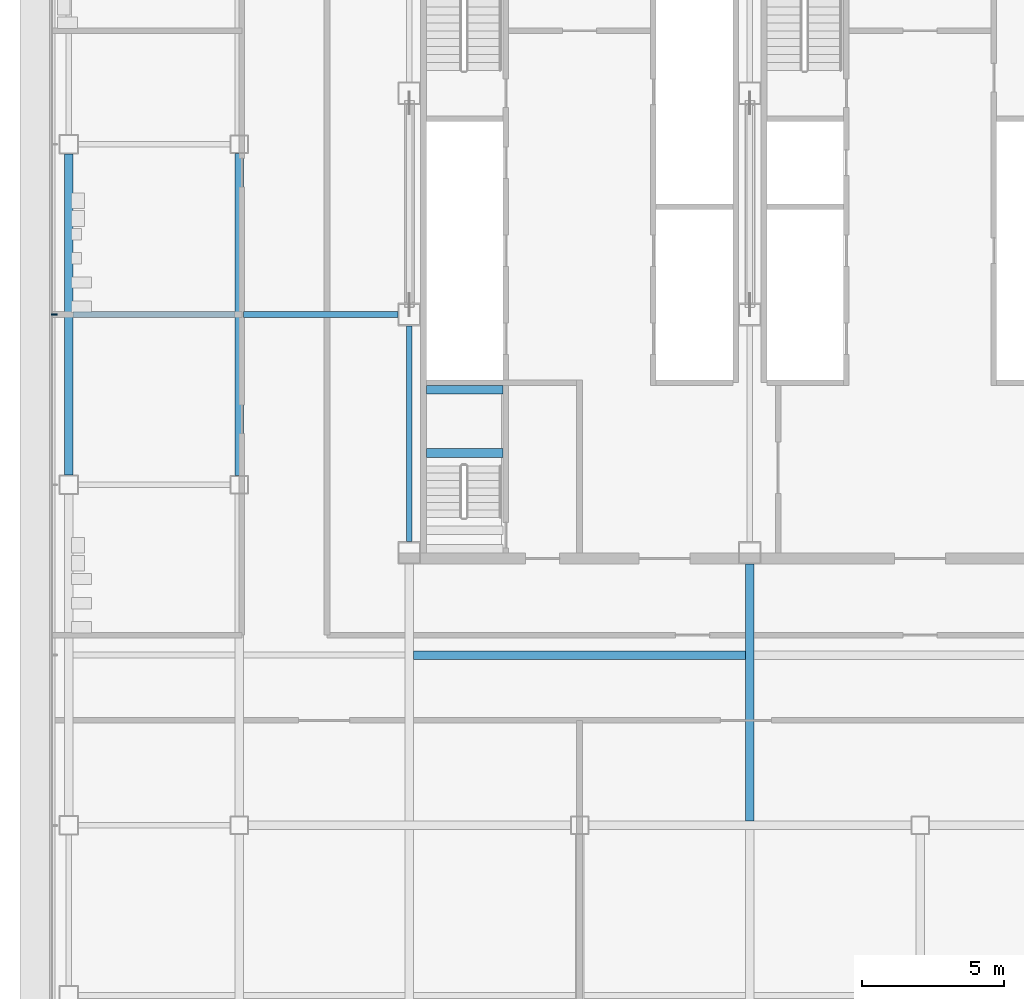
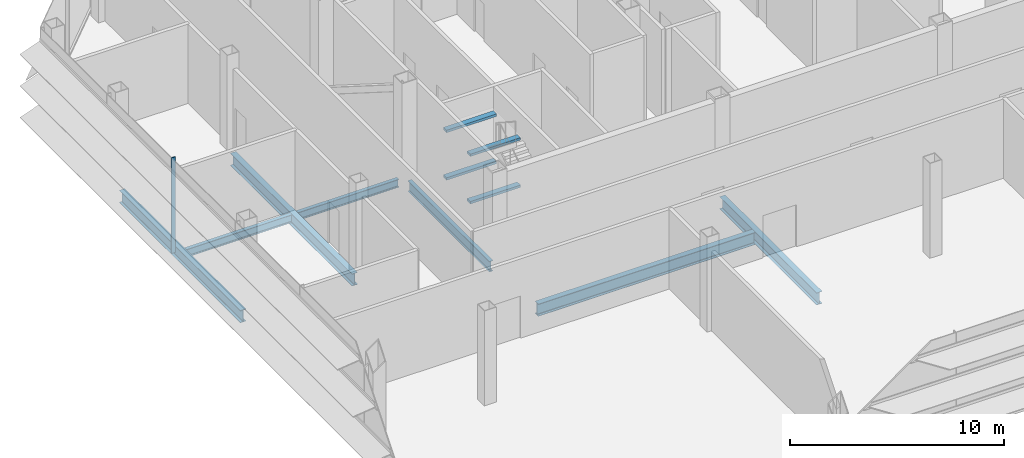
# One storey, part 5 of 24: 11 beams, 1 member, 1 element without a shape of its own.
"""IFC4 building model written with IfcOpenShell, lengths in metres."""

from ifc_helpers import new_model, si_unit, direction, frame, origin, origin_2d, place, context, subcontext, project, spatial, rectangle, i_section, extrude, material, material_profile, profile_set, type_object, element, aggregate, save


model = new_model("IFC4")

# Units and contexts
model_context = context("Model", 3, precision=1e-05, world=origin(), true_north=direction((0.0, 1.0)))
body_context = subcontext(model_context, "Body", "Model", "MODEL_VIEW")
ifc_project = project(units=[si_unit("LENGTHUNIT", "METRE"), si_unit("AREAUNIT", "SQUARE_METRE"), si_unit("VOLUMEUNIT", "CUBIC_METRE"), si_unit("PLANEANGLEUNIT", "RADIAN"), si_unit("MASSUNIT", "GRAM", prefix="KILO")], contexts=[model_context])

# Site, building, storey
site_placement = place(None, origin())
site = spatial("IfcSite", under=ifc_project, at=site_placement, CompositionType="ELEMENT")
building_placement = place(site_placement, origin())
building = spatial("IfcBuilding", under=site, at=building_placement, Name="Sorahane Residences", CompositionType="ELEMENT")
storey_placement = place(building_placement, frame((0.0, 0.0, 161.800048828125)))
storey = spatial("IfcBuildingStorey", under=building, at=storey_placement, Name="L37", CompositionType="ELEMENT", Elevation=161.800048828125)

# Curtain wall, member
ifc_material_1 = material(Name="Dark low-e glass and black anodised aluminium", Category="aluminium")
curtain_wall_type = type_object("IfcCurtainWallType", Name="Curtain wall CW-4 Sky floor frameless wall", PredefinedType="NOTDEFINED", material=ifc_material_1)
curtain_wall_placement = place(storey_placement, origin())
curtain_wall = element("IfcCurtainWall", 1, at=curtain_wall_placement, inside=storey, type_object=curtain_wall_type, Name="CW-4 curtain wall L37 W1", PredefinedType="NOTDEFINED")
ifc_material_2 = material(Name="Black anodised aluminium", Category="aluminium")
ifc_material_profile_1 = material_profile(ifc_material_2, rectangle(XDim=0.219970703125, YDim=0.050048828125, at=origin_2d()), Name="Curtain wall mullion CW-4 black anodised aluminium 50x220")
ifc_profile_set_1 = profile_set([ifc_material_profile_1], Name="Black anodised aluminium")
member_type = type_object("IfcMemberType", Name="Curtain wall mullion CW-4 black anodised aluminium 50x220", PredefinedType="MULLION", material=ifc_profile_set_1)
member_placement = place(storey_placement, frame((-6.510009765625, 30.0, -0.219970703125), z_axis=(0.0, 0.0, 1.0), x_axis=(-1.0, 0.0, 0.0)))
member = element("IfcMember", 2, at=member_placement, type_object=member_type, Name="CW-4 mullion L37 W1.3", PredefinedType="MULLION", context=body_context, shape_type="SweptSolid", body=[
    extrude(rectangle(XDim=0.219970703125, YDim=0.050048828125, at=origin_2d()), origin(), (0.0, 0.0, 1.0), 5.43994140625),
])
aggregate(curtain_wall, [member])

# Beams
ifc_material_3 = material(Name="Concrete C40", Category="concrete")
ifc_material_profile_2 = material_profile(ifc_material_3, rectangle(XDim=0.300048828125, YDim=0.139892578125, at=origin_2d()), Name="300x140")
ifc_profile_set_2 = profile_set([ifc_material_profile_2], Name="Concrete C40")
beam_type_1 = type_object("IfcBeamType", Name="RC landing beam 300 x 140 Concrete C40", PredefinedType="BEAM", material=ifc_profile_set_2)
for number, where, z_axis, x_axis, name in (
    (3, (6.60009765625, 25.1201171875, 1.079833984375), (1.0, 0.0, 0.0), (0.0, 1.0, 0.0), "Landing beam"),
    (4, (6.60009765625, 27.35009765625, 1.079833984375), (1.0, 0.0, 0.0), (0.0, 1.0, 0.0), "Landing beam"),
    (5, (6.60009765625, 25.1201171875, 3.780029296875), (1.0, 0.0, 0.0), (0.0, 1.0, 0.0), "Landing beam"),
    (6, (6.60009765625, 27.35009765625, 3.780029296875), (1.0, 0.0, 0.0), (0.0, 1.0, 0.0), "Landing beam"),
):
    element("IfcBeam", number, at=place(storey_placement, frame(where, z_axis=z_axis, x_axis=x_axis)), inside=storey, type_object=beam_type_1, Name=name, PredefinedType="BEAM", context=body_context, shape_type="SweptSolid", body=[
        extrude(rectangle(XDim=0.300048828125, YDim=0.139892578125, at=origin_2d()), origin(), (0.0, 0.0, 1.0), 2.699951171875),
    ])
ifc_material_4 = material(Name="Steel Q355B", Category="steel")
ifc_material_profile_3 = material_profile(ifc_material_4, i_section(OverallWidth=0.199951171875, OverallDepth=0.449951171875, WebThickness=0.009033203125, FlangeThickness=0.013916015625, FilletRadius=0.02001953125, at=origin_2d()), Name="HN 450x200x9x14")
ifc_profile_set_3 = profile_set([ifc_material_profile_3], Name="Steel Q355B")
beam_type_2 = type_object("IfcBeamType", Name="Steel floor beam HN 450x200x9x14 Q355B", PredefinedType="BEAM", material=ifc_profile_set_3)
beam_1_placement = place(storey_placement, frame((-5.85009765625, 30.0, -0.445068359375), z_axis=(1.0, 0.0, 0.0), x_axis=(0.0, 1.0, 0.0)))
element("IfcBeam", 7, at=beam_1_placement, inside=storey, type_object=beam_type_2, Name="Beam L37 085", PredefinedType="BEAM", context=body_context, shape_type="SweptSolid", body=[
    extrude(i_section(OverallWidth=0.199951171875, OverallDepth=0.449951171875, WebThickness=0.009033203125, FlangeThickness=0.013916015625, FilletRadius=0.02001953125, at=origin_2d()), origin(), (0.0, 0.0, 1.0), 5.7001953125),
])
beam_2_placement = place(storey_placement, frame((0.14990234375, 30.0, -0.445068359375), z_axis=(1.0, 0.0, 0.0), x_axis=(0.0, 1.0, 0.0)))
element("IfcBeam", 8, at=beam_2_placement, inside=storey, type_object=beam_type_2, Name="Beam L37 086", PredefinedType="BEAM", context=body_context, shape_type="SweptSolid", body=[
    extrude(i_section(OverallWidth=0.199951171875, OverallDepth=0.449951171875, WebThickness=0.009033203125, FlangeThickness=0.013916015625, FilletRadius=0.02001953125, at=origin_2d()), origin(), (0.0, 0.0, 1.0), 5.4501953125),
])
ifc_material_5 = material(Name="Steel Q355B", Category="steel")
ifc_material_profile_4 = material_profile(ifc_material_5, i_section(OverallWidth=0.199951171875, OverallDepth=0.60009765625, WebThickness=0.010986328125, FlangeThickness=0.01708984375, FilletRadius=0.02392578125, at=origin_2d()), Name="HN 600x200x11x17")
ifc_profile_set_4 = profile_set([ifc_material_profile_4], Name="Steel Q355B")
beam_type_3 = type_object("IfcBeamType", Name="Steel floor beam HN 600x200x11x17 Q355B", PredefinedType="BEAM", material=ifc_profile_set_4)
beam_3_placement = place(storey_placement, frame((6.0, 22.0, -0.52001953125), z_axis=(0.0, 1.0, 0.0), x_axis=(-1.0, 0.0, 0.0)))
element("IfcBeam", 9, at=beam_3_placement, inside=storey, type_object=beam_type_3, Name="Beam L37 030", PredefinedType="BEAM", context=body_context, shape_type="SweptSolid", body=[
    extrude(i_section(OverallWidth=0.199951171875, OverallDepth=0.60009765625, WebThickness=0.010986328125, FlangeThickness=0.01708984375, FilletRadius=0.02392578125, at=origin_2d()), origin(), (0.0, 0.0, 1.0), 7.60009765625),
])
ifc_material_6 = material(Name="Steel Q355B", Category="steel")
ifc_material_profile_5 = material_profile(ifc_material_6, i_section(OverallWidth=0.300048828125, OverallDepth=0.699951171875, WebThickness=0.012939453125, FlangeThickness=0.02392578125, FilletRadius=0.028076171875, at=origin_2d()), Name="HN 700x300x13x24")
ifc_profile_set_5 = profile_set([ifc_material_profile_5], Name="Steel Q355B")
beam_type_4 = type_object("IfcBeamType", Name="Steel floor beam HN 700x300x13x24 Q355B", PredefinedType="BEAM", material=ifc_profile_set_5)
beam_4_placement = place(storey_placement, frame((-6.0, 24.35009765625, -0.570068359375), z_axis=(0.0, 1.0, 0.0), x_axis=(-1.0, 0.0, 0.0)))
element("IfcBeam", 10, at=beam_4_placement, inside=storey, type_object=beam_type_4, Name="Beam L37 022", PredefinedType="BEAM", context=body_context, shape_type="SweptSolid", body=[
    extrude(i_section(OverallWidth=0.300048828125, OverallDepth=0.699951171875, WebThickness=0.012939453125, FlangeThickness=0.02392578125, FilletRadius=0.028076171875, at=origin_2d()), origin(), (0.0, 0.0, 1.0), 11.2998046875),
])
beam_5_placement = place(storey_placement, frame((0.0, 24.324951171875, -0.570068359375), z_axis=(0.0, 1.0, 0.0), x_axis=(-1.0, 0.0, 0.0)))
element("IfcBeam", 11, at=beam_5_placement, inside=storey, type_object=beam_type_4, Name="Beam L37 026", PredefinedType="BEAM", context=body_context, shape_type="SweptSolid", body=[
    extrude(i_section(OverallWidth=0.300048828125, OverallDepth=0.699951171875, WebThickness=0.012939453125, FlangeThickness=0.02392578125, FilletRadius=0.028076171875, at=origin_2d()), origin(), (0.0, 0.0, 1.0), 11.35009765625),
])
beam_6_placement = place(storey_placement, frame((18.0, 12.14990234375, -0.570068359375), z_axis=(0.0, 1.0, 0.0), x_axis=(-1.0, 0.0, 0.0)))
element("IfcBeam", 12, at=beam_6_placement, inside=storey, type_object=beam_type_4, Name="Beam L37 037", PredefinedType="BEAM", context=body_context, shape_type="SweptSolid", body=[
    extrude(i_section(OverallWidth=0.300048828125, OverallDepth=0.699951171875, WebThickness=0.012939453125, FlangeThickness=0.02392578125, FilletRadius=0.028076171875, at=origin_2d()), origin(), (0.0, 0.0, 1.0), 9.050048828125),
])
beam_7_placement = place(storey_placement, frame((6.14990234375, 18.0, -0.570068359375), z_axis=(1.0, 0.0, 0.0), x_axis=(0.0, 1.0, 0.0)))
element("IfcBeam", 13, at=beam_7_placement, inside=storey, type_object=beam_type_4, Name="Beam L37 080", PredefinedType="BEAM", context=body_context, shape_type="SweptSolid", body=[
    extrude(i_section(OverallWidth=0.300048828125, OverallDepth=0.699951171875, WebThickness=0.012939453125, FlangeThickness=0.02392578125, FilletRadius=0.028076171875, at=origin_2d()), origin(), (0.0, 0.0, 1.0), 11.7001953125),
])

save(model, "model.ifc")
